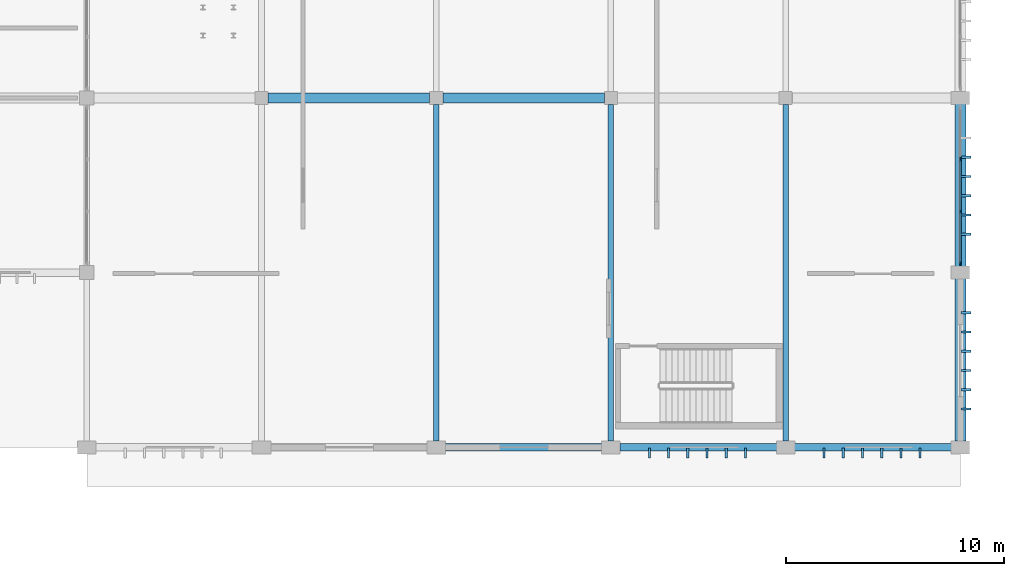
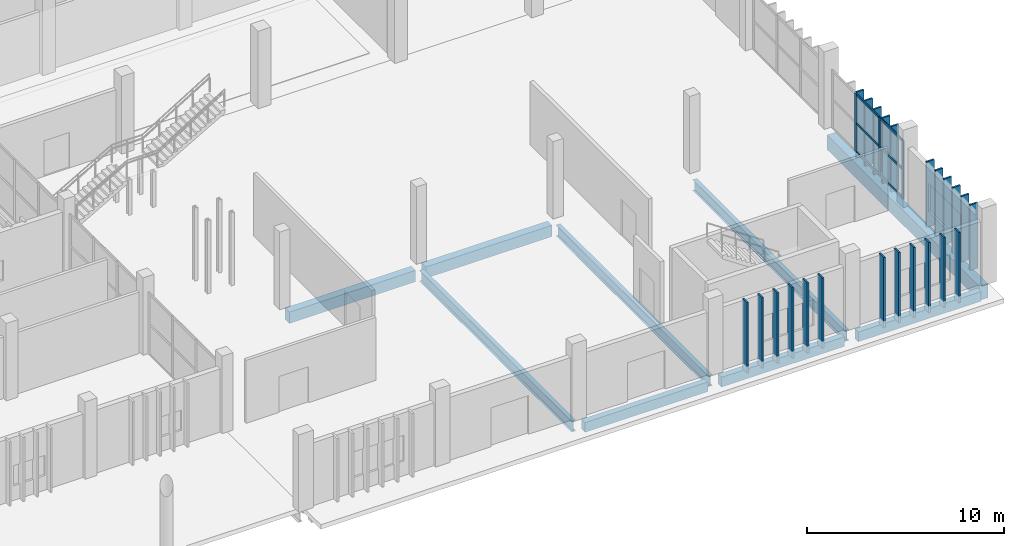
# One storey, part 60 of 117: 32 members, 9 beams, 1 element without a shape of its own.
"""IFC4 building model written with IfcOpenShell, lengths in metres."""

from ifc_helpers import new_model, si_unit, direction, frame, origin, origin_2d, place, context, subcontext, project, spatial, rectangle, i_section, extrude, material, layer, layer_set, material_profile, profile_set, type_object, element, aggregate, save


model = new_model("IFC4")

# Units and contexts
model_context = context("Model", 3, precision=1e-05, world=origin(), true_north=direction((0.0, 1.0)))
body_context = subcontext(model_context, "Body", "Model", "MODEL_VIEW")
ifc_project = project(units=[si_unit("LENGTHUNIT", "METRE"), si_unit("AREAUNIT", "SQUARE_METRE"), si_unit("VOLUMEUNIT", "CUBIC_METRE"), si_unit("PLANEANGLEUNIT", "RADIAN"), si_unit("MASSUNIT", "GRAM", prefix="KILO")], contexts=[model_context])

# Site, building, storey
site_placement = place(None, origin())
site = spatial("IfcSite", under=ifc_project, at=site_placement, CompositionType="ELEMENT")
building_placement = place(site_placement, origin())
building = spatial("IfcBuilding", under=site, at=building_placement, Name="Jelvoka-Kovrelna Polytechnic", CompositionType="ELEMENT")
storey_placement = place(building_placement, origin())
storey = spatial("IfcBuildingStorey", under=building, at=storey_placement, Name="L01", CompositionType="ELEMENT", Elevation=0.0)

# Beams
ifc_material_1 = material(Name="Concrete C40/50", Category="concrete")
ifc_material_profile_1 = material_profile(ifc_material_1, rectangle(XDim=0.449951171875, YDim=0.699951171875, at=origin_2d()), Name="RC 450x700")
ifc_profile_set_1 = profile_set([ifc_material_profile_1], Name="Concrete C40/50")
beam_type_1 = type_object("IfcBeamType", Name="Beam_RC_450x700", PredefinedType="BEAM", material=ifc_profile_set_1)
for number, where, z_axis, x_axis, name in (
    (1, (168.304931640625, 16.0, -0.760009765625), (1.0, 0.0, 0.0), (0.0, 1.0, 0.0), "L01 beam 0146"),
    (2, (176.304931640625, 16.0, -0.760009765625), (1.0, 0.0, 0.0), (0.0, 1.0, 0.0), "L01 beam 0149"),
):
    element("IfcBeam", number, at=place(storey_placement, frame(where, z_axis=z_axis, x_axis=x_axis)), inside=storey, type_object=beam_type_1, Name=name, PredefinedType="BEAM", context=body_context, shape_type="SweptSolid", body=[
        extrude(rectangle(XDim=0.449951171875, YDim=0.699951171875, at=origin_2d()), origin(), (0.0, 0.0, 1.0), 7.39013671875),
    ])
ifc_material_2 = material(Name="Concrete C40/50", Category="concrete")
ifc_material_profile_2 = material_profile(ifc_material_2, rectangle(XDim=0.5, YDim=0.89990234375, at=origin_2d()), Name="RC 500x900")
ifc_profile_set_2 = profile_set([ifc_material_profile_2], Name="Concrete C40/50")
beam_type_2 = type_object("IfcBeamType", Name="Beam_RC_500x900", PredefinedType="BEAM", material=ifc_profile_set_2)
beam_placement = place(storey_placement, frame((200.0, 0.280029296875, -0.860107421875), z_axis=(0.0, 1.0, 0.0), x_axis=(-1.0, 0.0, 0.0)))
element("IfcBeam", 3, at=beam_placement, inside=storey, type_object=beam_type_2, Name="L01 beam 0140", PredefinedType="BEAM", context=body_context, shape_type="SweptSolid", body=[
    extrude(rectangle(XDim=0.5, YDim=0.89990234375, at=origin_2d()), origin(), (0.0, 0.0, 1.0), 15.43994140625),
])
ifc_material_3 = material(Name="Structural steel S355JR", Category="steel")
ifc_material_profile_3 = material_profile(ifc_material_3, i_section(OverallWidth=0.2529296875, OverallDepth=0.677978515625, WebThickness=0.01171875, FlangeThickness=0.01611328125, FilletRadius=0.01513671875, at=origin_2d()), Name="686x254x125 UB")
ifc_profile_set_3 = profile_set([ifc_material_profile_3], Name="Structural steel S355JR")
beam_type_3 = type_object("IfcBeamType", Name="Girder_Steel_UB686", PredefinedType="BEAM", material=ifc_profile_set_3)
for number, where, z_axis, x_axis, name in (
    (4, (176.0, 0.280029296875, -0.7490234375), (0.0, 1.0, 0.0), (-1.0, 0.0, 0.0), "L01 beam 0134"),
    (5, (184.0, 0.280029296875, -0.7490234375), (0.0, 1.0, 0.0), (-1.0, 0.0, 0.0), "L01 beam 0136"),
    (6, (192.0, 0.280029296875, -0.7490234375), (0.0, 1.0, 0.0), (-1.0, 0.0, 0.0), "L01 beam 0138"),
):
    element("IfcBeam", number, at=place(storey_placement, frame(where, z_axis=z_axis, x_axis=x_axis)), inside=storey, type_object=beam_type_3, Name=name, PredefinedType="BEAM", context=body_context, shape_type="SweptSolid", body=[
        extrude(i_section(OverallWidth=0.2529296875, OverallDepth=0.677978515625, WebThickness=0.01171875, FlangeThickness=0.01611328125, FilletRadius=0.01513671875, at=origin_2d()), origin(), (0.0, 0.0, 1.0), 15.4150390625),
    ])

# Members
ifc_material_4 = material(Name="Precast concrete C40/50", Category="concrete")
ifc_material_profile_4 = material_profile(ifc_material_4, rectangle(XDim=0.10009765625, YDim=0.449951171875, at=origin_2d()), Name="PC 100x450")
ifc_profile_set_4 = profile_set([ifc_material_profile_4], Name="Precast concrete C40/50")
member_type_1 = type_object("IfcMemberType", Name="Louvre_Fin_100x450", PredefinedType="USERDEFINED", material=ifc_profile_set_4)
for number, where, z_axis, x_axis, name in (
    (7, (185.760009765625, -0.264892578125, -0.419921875), (0.0, 0.0, 1.0), (1.0, 0.0, 0.0), "L01 V5 south solar louvre fin 2398"),
    (8, (186.639892578125, -0.264892578125, -0.419921875), (0.0, 0.0, 1.0), (1.0, 0.0, 0.0), "L01 V5 south solar louvre fin 2399"),
    (9, (187.52001953125, -0.264892578125, -0.419921875), (0.0, 0.0, 1.0), (1.0, 0.0, 0.0), "L01 V5 south solar louvre fin 2400"),
    (10, (188.39990234375, -0.264892578125, -0.419921875), (0.0, 0.0, 1.0), (1.0, 0.0, 0.0), "L01 V5 south solar louvre fin 2401"),
    (11, (189.280029296875, -0.264892578125, -0.419921875), (0.0, 0.0, 1.0), (1.0, 0.0, 0.0), "L01 V5 south solar louvre fin 2402"),
    (12, (190.159912109375, -0.264892578125, -0.419921875), (0.0, 0.0, 1.0), (1.0, 0.0, 0.0), "L01 V5 south solar louvre fin 2403"),
    (13, (193.760009765625, -0.264892578125, -0.419921875), (0.0, 0.0, 1.0), (1.0, 0.0, 0.0), "L01 V5 south solar louvre fin 2404"),
    (14, (194.639892578125, -0.264892578125, -0.419921875), (0.0, 0.0, 1.0), (1.0, 0.0, 0.0), "L01 V5 south solar louvre fin 2405"),
    (15, (195.52001953125, -0.264892578125, -0.419921875), (0.0, 0.0, 1.0), (1.0, 0.0, 0.0), "L01 V5 south solar louvre fin 2406"),
    (16, (196.39990234375, -0.264892578125, -0.419921875), (0.0, 0.0, 1.0), (1.0, 0.0, 0.0), "L01 V5 south solar louvre fin 2407"),
    (17, (197.280029296875, -0.264892578125, -0.419921875), (0.0, 0.0, 1.0), (1.0, 0.0, 0.0), "L01 V5 south solar louvre fin 2408"),
    (18, (198.159912109375, -0.264892578125, -0.419921875), (0.0, 0.0, 1.0), (1.0, 0.0, 0.0), "L01 V5 south solar louvre fin 2409"),
):
    element("IfcMember", number, at=place(storey_placement, frame(where, z_axis=z_axis, x_axis=x_axis)), inside=storey, type_object=member_type_1, Name=name, ObjectType="SUNSHADE", PredefinedType="USERDEFINED", context=body_context, shape_type="SweptSolid", body=[
        extrude(rectangle(XDim=0.10009765625, YDim=0.449951171875, at=origin_2d()), origin(), (0.0, 0.0, 1.0), 4.35986328125),
    ])
for number, where, z_axis, x_axis, name in (
    (19, (200.264892578125, 1.760009765625, -0.419921875), (0.0, 0.0, 1.0), (0.0, 1.0, 0.0), "L01 V5 east solar louvre fin 2410"),
    (20, (200.264892578125, 2.639892578125, -0.419921875), (0.0, 0.0, 1.0), (0.0, 1.0, 0.0), "L01 V5 east solar louvre fin 2411"),
    (21, (200.264892578125, 3.52001953125, -0.419921875), (0.0, 0.0, 1.0), (0.0, 1.0, 0.0), "L01 V5 east solar louvre fin 2412"),
    (22, (200.264892578125, 4.39990234375, -0.419921875), (0.0, 0.0, 1.0), (0.0, 1.0, 0.0), "L01 V5 east solar louvre fin 2413"),
    (23, (200.264892578125, 5.280029296875, -0.419921875), (0.0, 0.0, 1.0), (0.0, 1.0, 0.0), "L01 V5 east solar louvre fin 2414"),
    (24, (200.264892578125, 6.159912109375, -0.419921875), (0.0, 0.0, 1.0), (0.0, 1.0, 0.0), "L01 V5 east solar louvre fin 2415"),
    (25, (200.264892578125, 9.760009765625, -0.419921875), (0.0, 0.0, 1.0), (0.0, 1.0, 0.0), "L01 V5 east solar louvre fin 2416"),
    (26, (200.264892578125, 10.639892578125, -0.419921875), (0.0, 0.0, 1.0), (0.0, 1.0, 0.0), "L01 V5 east solar louvre fin 2417"),
    (27, (200.264892578125, 11.52001953125, -0.419921875), (0.0, 0.0, 1.0), (0.0, 1.0, 0.0), "L01 V5 east solar louvre fin 2418"),
    (28, (200.264892578125, 12.39990234375, -0.419921875), (0.0, 0.0, 1.0), (0.0, 1.0, 0.0), "L01 V5 east solar louvre fin 2419"),
    (29, (200.264892578125, 13.280029296875, -0.419921875), (0.0, 0.0, 1.0), (0.0, 1.0, 0.0), "L01 V5 east solar louvre fin 2420"),
):
    element("IfcMember", number, at=place(storey_placement, frame(where, z_axis=z_axis, x_axis=x_axis)), inside=storey, type_object=member_type_1, Name=name, ObjectType="SUNSHADE", PredefinedType="USERDEFINED", context=body_context, shape_type="SweptSolid", body=[
        extrude(rectangle(XDim=0.10009765625, YDim=0.449951171875, at=origin_2d()), origin(), (0.0, 0.0, 1.0), 4.059814453125),
    ])

# Curtain wall, members
ifc_material_5 = material(Name="Anodised aluminium 6063-T6", Category="aluminium")
ifc_layer = layer(ifc_material_5, 0.179931640625)
ifc_layer_set = layer_set([ifc_layer], Name="Anodised aluminium 6063-T6")
curtain_wall_type = type_object("IfcCurtainWallType", Name="CW_Pavilion", PredefinedType="NOTDEFINED", material=ifc_layer_set)
curtain_wall_placement = place(storey_placement, origin())
curtain_wall = element("IfcCurtainWall", 30, at=curtain_wall_placement, inside=storey, type_object=curtain_wall_type, Name="L01 glazed curtain wall 270", PredefinedType="NOTDEFINED")
ifc_material_6 = material(Name="Anodised aluminium 6063-T6", Category="aluminium")
ifc_material_profile_5 = material_profile(ifc_material_6, rectangle(XDim=0.06494140625, YDim=0.179931640625, at=origin_2d()), Name="ALU 65x180")
ifc_profile_set_5 = profile_set([ifc_material_profile_5], Name="Anodised aluminium 6063-T6")
member_type_2 = type_object("IfcMemberType", Name="Mullion_M-05", PredefinedType="MULLION", material=ifc_profile_set_5)
member_1_placement = place(storey_placement, frame((200.0, 13.199951171875, -0.02490234375), z_axis=(0.0, 0.0, 1.0), x_axis=(1.0, 0.0, 0.0)))
member_1 = element("IfcMember", 31, at=member_1_placement, type_object=member_type_2, Name="CW-05 mullion 2", PredefinedType="MULLION", context=body_context, shape_type="SweptSolid", body=[
    extrude(rectangle(XDim=0.06494140625, YDim=0.179931640625, at=origin_2d()), origin(), (0.0, 0.0, 1.0), 3.64013671875),
])
member_2_placement = place(storey_placement, frame((200.0, 10.800048828125, -0.02490234375), z_axis=(0.0, 0.0, 1.0), x_axis=(1.0, 0.0, 0.0)))
member_2 = element("IfcMember", 32, at=member_2_placement, type_object=member_type_2, Name="CW-05 mullion 3", PredefinedType="MULLION", context=body_context, shape_type="SweptSolid", body=[
    extrude(rectangle(XDim=0.06494140625, YDim=0.179931640625, at=origin_2d()), origin(), (0.0, 0.0, 1.0), 3.64013671875),
])
member_3_placement = place(storey_placement, frame((200.0, 8.4326171875, -0.02490234375), z_axis=(0.0, 0.0, 1.0), x_axis=(1.0, 0.0, 0.0)))
member_3 = element("IfcMember", 33, at=member_3_placement, type_object=member_type_2, Name="CW-05 mullion 4", PredefinedType="MULLION", context=body_context, shape_type="SweptSolid", body=[
    extrude(rectangle(XDim=0.06494140625, YDim=0.179931640625, at=origin_2d()), origin(), (0.0, 0.0, 1.0), 3.64013671875),
])

# Beams
ifc_material_7 = material(Name="Concrete C40/50", Category="concrete")
ifc_material_profile_6 = material_profile(ifc_material_7, rectangle(XDim=0.35009765625, YDim=0.60009765625, at=origin_2d()), Name="RC 350x600")
ifc_profile_set_6 = profile_set([ifc_material_profile_6], Name="Concrete C40/50")
beam_type_4 = type_object("IfcBeamType", Name="Spandrel_RC_350x600", PredefinedType="SPANDREL", material=ifc_profile_set_6)
for number, where, z_axis, x_axis, name in (
    (34, (176.405029296875, 0.0, -0.7099609375), (1.0, 0.0, 0.0), (0.0, 1.0, 0.0), "L01 beam 0148"),
    (35, (184.405029296875, 0.0, -0.7099609375), (1.0, 0.0, 0.0), (0.0, 1.0, 0.0), "L01 beam 0151"),
    (36, (192.405029296875, 0.0, -0.7099609375), (1.0, 0.0, 0.0), (0.0, 1.0, 0.0), "L01 beam 0154"),
):
    element("IfcBeam", number, at=place(storey_placement, frame(where, z_axis=z_axis, x_axis=x_axis)), inside=storey, type_object=beam_type_4, Name=name, PredefinedType="SPANDREL", context=body_context, shape_type="SweptSolid", body=[
        extrude(rectangle(XDim=0.35009765625, YDim=0.60009765625, at=origin_2d()), origin(), (0.0, 0.0, 1.0), 7.18994140625),
    ])

# Member
ifc_material_8 = material(Name="Anodised aluminium 6063-T6", Category="aluminium")
ifc_material_profile_7 = material_profile(ifc_material_8, rectangle(XDim=0.06494140625, YDim=0.135009765625, at=origin_2d()), Name="ALU 65x135")
ifc_profile_set_7 = profile_set([ifc_material_profile_7], Name="Anodised aluminium 6063-T6")
member_type_3 = type_object("IfcMemberType", Name="Transom_T-05", PredefinedType="USERDEFINED", material=ifc_profile_set_7)
member_4_placement = place(storey_placement, frame((200.0, 13.16748046875, 0.032470703125), z_axis=(0.0, -1.0, 0.0), x_axis=(1.0, 0.0, 0.0)))
member_4 = element("IfcMember", 37, at=member_4_placement, type_object=member_type_3, Name="CW-05 transom 2.1", ObjectType="TRANSOM", PredefinedType="USERDEFINED", context=body_context, shape_type="SweptSolid", body=[
    extrude(rectangle(XDim=0.06494140625, YDim=0.135009765625, at=origin_2d()), origin(), (0.0, 0.0, 1.0), 2.3349609375),
])

member_5_placement = place(storey_placement, frame((200.0, 13.16748046875, 1.794921875), z_axis=(0.0, -1.0, 0.0), x_axis=(1.0, 0.0, 0.0)))
member_5 = element("IfcMember", 38, at=member_5_placement, type_object=member_type_3, Name="CW-05 transom 2.2", ObjectType="TRANSOM", PredefinedType="USERDEFINED", context=body_context, shape_type="SweptSolid", body=[
    extrude(rectangle(XDim=0.06494140625, YDim=0.135009765625, at=origin_2d()), origin(), (0.0, 0.0, 1.0), 2.3349609375),
])

member_6_placement = place(storey_placement, frame((200.0, 13.16748046875, 3.5576171875), z_axis=(0.0, -1.0, 0.0), x_axis=(1.0, 0.0, 0.0)))
member_6 = element("IfcMember", 39, at=member_6_placement, type_object=member_type_3, Name="CW-05 transom 2.3", ObjectType="TRANSOM", PredefinedType="USERDEFINED", context=body_context, shape_type="SweptSolid", body=[
    extrude(rectangle(XDim=0.06494140625, YDim=0.135009765625, at=origin_2d()), origin(), (0.0, 0.0, 1.0), 2.3349609375),
])

member_7_placement = place(storey_placement, frame((200.0, 10.767578125, 0.032470703125), z_axis=(0.0, -1.0, 0.0), x_axis=(1.0, 0.0, 0.0)))
member_7 = element("IfcMember", 40, at=member_7_placement, type_object=member_type_3, Name="CW-05 transom 3.1", ObjectType="TRANSOM", PredefinedType="USERDEFINED", context=body_context, shape_type="SweptSolid", body=[
    extrude(rectangle(XDim=0.06494140625, YDim=0.135009765625, at=origin_2d()), origin(), (0.0, 0.0, 1.0), 2.302490234375),
])

member_8_placement = place(storey_placement, frame((200.0, 10.767578125, 1.794921875), z_axis=(0.0, -1.0, 0.0), x_axis=(1.0, 0.0, 0.0)))
member_8 = element("IfcMember", 41, at=member_8_placement, type_object=member_type_3, Name="CW-05 transom 3.2", ObjectType="TRANSOM", PredefinedType="USERDEFINED", context=body_context, shape_type="SweptSolid", body=[
    extrude(rectangle(XDim=0.06494140625, YDim=0.135009765625, at=origin_2d()), origin(), (0.0, 0.0, 1.0), 2.302490234375),
])

member_9_placement = place(storey_placement, frame((200.0, 10.767578125, 3.5576171875), z_axis=(0.0, -1.0, 0.0), x_axis=(1.0, 0.0, 0.0)))
member_9 = element("IfcMember", 42, at=member_9_placement, type_object=member_type_3, Name="CW-05 transom 3.3", ObjectType="TRANSOM", PredefinedType="USERDEFINED", context=body_context, shape_type="SweptSolid", body=[
    extrude(rectangle(XDim=0.06494140625, YDim=0.135009765625, at=origin_2d()), origin(), (0.0, 0.0, 1.0), 2.302490234375),
])

aggregate(curtain_wall, [member_1, member_2, member_3, member_4, member_5, member_6, member_7, member_8, member_9])

save(model, "model.ifc")
